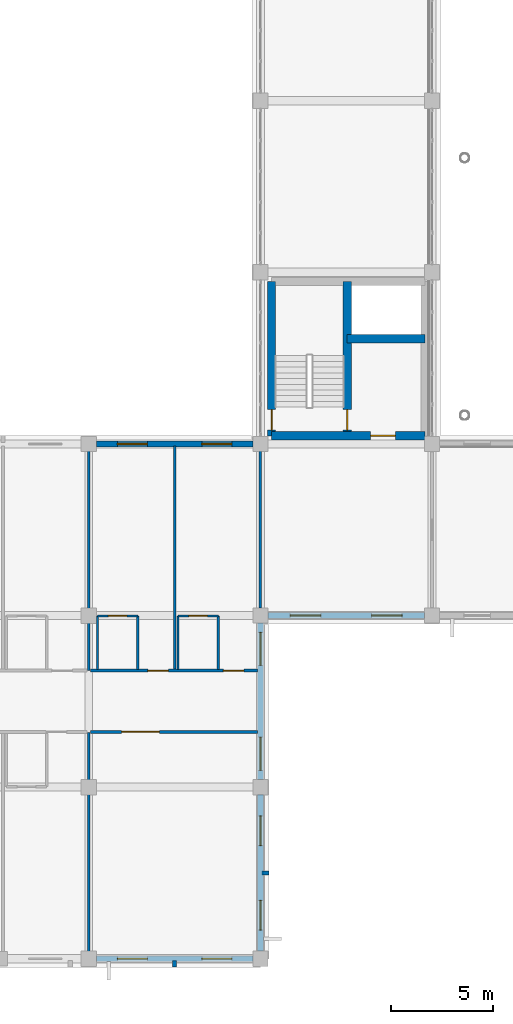
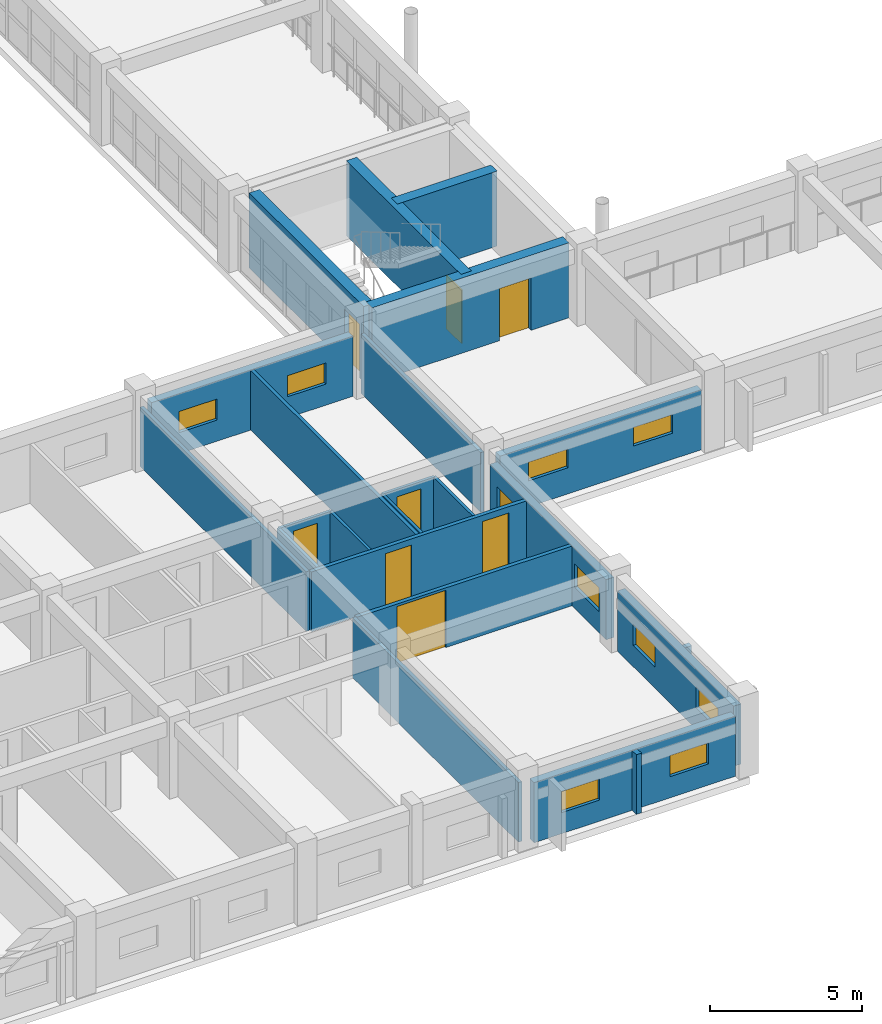
# One storey, part 181 of 200: 23 walls, 10 windows, 8 doors, 18 openings.
"""IFC4 building model written with IfcOpenShell, lengths in metres."""

import ifcopenshell
import ifcopenshell.guid

model = None  # the IFC model being written
_history = None  # IfcOwnerHistory: only IFC2X3 demands one
_inside = {}  # id of a spatial element -> (the spatial element, [elements in it])
_under = {}  # id of a project, library or spatial element -> (it, [spatial elements below it])
_declared = {}  # id of a project -> (the project, [libraries it declares])
_typed = {}  # id of a type object -> (the type object, [elements of that type])
_made_of = {}  # id of a material, layer set ... -> (it, [elements and type objects made of it])


def new_model(schema):
    """Start an empty IFC model of exactly this schema.

    Asked for "IFC4X3", IfcOpenShell would pick the latest addendum, in which some entities
    have other attributes; the version numbers below select the first issue.
    IFC2X3 requires an IfcOwnerHistory on every rooted entity: one is made here for all.
    """
    global model, _history
    if schema == "IFC4X3":
        model = ifcopenshell.file(schema_version=(4, 3, 0, 0))
    else:
        model = ifcopenshell.file(schema=schema)
    _inside.clear()
    _under.clear()
    _declared.clear()
    _typed.clear()
    _made_of.clear()
    _history = None
    if model.schema == "IFC2X3":
        org = make("IfcOrganization", Name="unknown")
        user = make(
            "IfcPersonAndOrganization",
            ThePerson=make("IfcPerson", FamilyName="unknown"),
            TheOrganization=org,
        )
        app = make(
            "IfcApplication",
            ApplicationDeveloper=org,
            Version="unknown",
            ApplicationFullName="unknown",
            ApplicationIdentifier="unknown",
        )
        _history = make(
            "IfcOwnerHistory",
            OwningUser=user,
            OwningApplication=app,
            ChangeAction="ADDED",
            CreationDate=0,
        )
    return model


def make(cls, **values):
    """One entity of the class cls with the attributes given. An attribute that is None is left unset."""
    return model.create_entity(
        cls, **{name: value for name, value in values.items() if value is not None}
    )


def rooted(cls, **values):
    """An entity with a GlobalId (a new one), such as an element, a storey or a relation."""
    return make(cls, GlobalId=ifcopenshell.guid.new(), OwnerHistory=_history, **values)


def si_unit(unit_type, name, prefix=None):
    """IfcSIUnit, for example si_unit("LENGTHUNIT", "METRE", prefix="MILLI")."""
    return make("IfcSIUnit", UnitType=unit_type, Prefix=prefix, Name=name)


def assignment(units):
    """IfcUnitAssignment: the units of a project."""
    return None if units is None else make("IfcUnitAssignment", Units=units)


def point(xyz):
    """IfcCartesianPoint."""
    return None if xyz is None else make("IfcCartesianPoint", Coordinates=xyz)


def direction(xyz):
    """IfcDirection."""
    return None if xyz is None else make("IfcDirection", DirectionRatios=xyz)


def frame(location, z_axis=None, x_axis=None):
    """IfcAxis2Placement3D, a coordinate frame: its origin and axes. An axis left out is left unset."""
    return make(
        "IfcAxis2Placement3D",
        Location=point(location),
        Axis=direction(z_axis),
        RefDirection=direction(x_axis),
    )


def frame_2d(location, x_axis=None):
    """IfcAxis2Placement2D, a coordinate frame in the plane: its origin and x axis."""
    return make(
        "IfcAxis2Placement2D", Location=point(location), RefDirection=direction(x_axis)
    )


def origin():
    """The frame at (0, 0, 0) with its axes left unset."""
    return frame((0.0, 0.0, 0.0))


def place(relative_to, where):
    """IfcLocalPlacement: puts the frame where relative to a parent placement (None: the world)."""
    return make(
        "IfcLocalPlacement", PlacementRelTo=relative_to, RelativePlacement=where
    )


def context(
    kind, dimensions, precision=None, world=None, true_north=None, identifier=None
):
    """IfcGeometricRepresentationContext, for example the 3D "Model" context."""
    return make(
        "IfcGeometricRepresentationContext",
        ContextIdentifier=identifier,
        ContextType=kind,
        CoordinateSpaceDimension=dimensions,
        Precision=precision,
        WorldCoordinateSystem=world,
        TrueNorth=true_north,
    )


def subcontext(parent, identifier, kind, view, scale=None):
    """IfcGeometricRepresentationSubContext, for example "Body" below "Model"."""
    return make(
        "IfcGeometricRepresentationSubContext",
        ContextIdentifier=identifier,
        ContextType=kind,
        ParentContext=parent,
        TargetScale=scale,
        TargetView=view,
    )


def project(units=None, contexts=None):
    """IfcProject with its units and contexts."""
    return rooted(
        "IfcProject",
        Name="project",
        RepresentationContexts=contexts,
        UnitsInContext=assignment(units),
    )


def spatial(cls, under=None, at=None, **own):
    """A site, building, storey or space (cls), placed at a placement, below another one or the project."""
    s = rooted(cls, ObjectPlacement=at, **own)
    if under is not None:
        _under.setdefault(under.id(), (under, []))[1].append(s)
    return s


def profile(cls, at=None, kind="AREA", **sizes):
    """A parametric profile (cls). Its sizes go by their IFC names, for example OverallWidth=200.0."""
    return make(cls, ProfileType=kind, Position=at, **sizes)


def rectangle(**sizes):
    """IfcRectangleProfileDef."""
    return profile("IfcRectangleProfileDef", **sizes)


def extrude(swept, where, along, depth):
    """IfcExtrudedAreaSolid: the profile swept, set in the frame where, extruded along a direction by depth."""
    return make(
        "IfcExtrudedAreaSolid",
        SweptArea=swept,
        Position=where,
        ExtrudedDirection=direction(along),
        Depth=depth,
    )


def shape(context_of_items, identifier, shape_type, items):
    """IfcShapeRepresentation: the items that make up one representation, for example the "Body"."""
    return make(
        "IfcShapeRepresentation",
        ContextOfItems=context_of_items,
        RepresentationIdentifier=identifier,
        RepresentationType=shape_type,
        Items=items,
    )


def material(Name=None, Category=None):
    """IfcMaterial."""
    return make("IfcMaterial", Name=Name, Category=Category)


def layer(
    of_material, thickness, ventilated=None, Name=None, Category=None, Priority=None
):
    """IfcMaterialLayer: one layer of a wall or slab, of a material (None: an air gap)."""
    return make(
        "IfcMaterialLayer",
        Material=of_material,
        LayerThickness=thickness,
        IsVentilated=ventilated,
        Name=Name,
        Category=Category,
        Priority=Priority,
    )


def layer_set(layers, Name=None):
    """IfcMaterialLayerSet."""
    return make("IfcMaterialLayerSet", MaterialLayers=layers, LayerSetName=Name)


def made_of(thing, what):
    """Note that an element or type object is made of a material, layer set ...; save() writes the relation."""
    if what is not None:
        _made_of.setdefault(what.id(), (what, []))[1].append(thing)
    return thing


def type_object(cls, material=None, **own):
    """A type object (cls), such as IfcWallType, which elements share."""
    return made_of(rooted(cls, **own), material)


def element(
    cls,
    number,
    at=None,
    inside=None,
    cuts=None,
    type_object=None,
    material=None,
    context=None,
    identifier="Body",
    shape_type=None,
    held_by="IfcProductDefinitionShape",
    body=None,
    shapes=None,
    **own,
):
    """One element of the class cls, such as IfcWall. Its Tag is "e" and its number.

    at: its placement. inside: the storey or other place that contains it. cuts: it is an
    opening in that element (IfcRelVoidsElement). A single representation is given by context,
    identifier, shape_type and body (its items); several are given by shapes. held_by: the class
    of the entity that holds the representations. save() writes the other relations.
    """
    e = rooted(cls, Tag="e%d" % number, ObjectPlacement=at, **own)
    if body is not None:
        shapes = [shape(context, identifier, shape_type, body)]
    if shapes is not None:
        e.Representation = make(held_by, Representations=shapes)
    if inside is not None:
        _inside.setdefault(inside.id(), (inside, []))[1].append(e)
    if cuts is not None:
        rooted(
            "IfcRelVoidsElement", RelatingBuildingElement=cuts, RelatedOpeningElement=e
        )
    if type_object is not None:
        _typed.setdefault(type_object.id(), (type_object, []))[1].append(e)
    return made_of(e, material)


def fill(opening, filler):
    """IfcRelFillsElement: the door or window that sits in an opening."""
    return rooted(
        "IfcRelFillsElement",
        RelatingOpeningElement=opening,
        RelatedBuildingElement=filler,
    )


def aggregate(whole, parts):
    """IfcRelAggregates: a whole, such as a stair, and the parts it consists of."""
    return rooted("IfcRelAggregates", RelatingObject=whole, RelatedObjects=parts)


def save(model, path):
    """Write the relations noted so far, then the file.

    IfcRelAggregates (storeys below a building ...), IfcRelContainedInSpatialStructure (elements
    in a storey), IfcRelDefinesByType, IfcRelAssociatesMaterial and IfcRelDeclares: one each for
    every whole, place, type object, material and project.
    """
    for whole, parts in _under.values():
        aggregate(whole, parts)
    for where, things in _inside.values():
        rooted(
            "IfcRelContainedInSpatialStructure",
            RelatedElements=things,
            RelatingStructure=where,
        )
    for kind, things in _typed.values():
        rooted("IfcRelDefinesByType", RelatedObjects=things, RelatingType=kind)
    for what, things in _made_of.values():
        rooted("IfcRelAssociatesMaterial", RelatedObjects=things, RelatingMaterial=what)
    for by, libraries in _declared.values():
        rooted("IfcRelDeclares", RelatingContext=by, RelatedDefinitions=libraries)
    model.write(path)


model = new_model("IFC4")

# Units and contexts
model_context = context("Model", 3, precision=1e-05, world=origin(), true_north=direction((0.0, 1.0)))
body_context = subcontext(model_context, "Body", "Model", "MODEL_VIEW")
ifc_project = project(units=[si_unit("LENGTHUNIT", "METRE"), si_unit("AREAUNIT", "SQUARE_METRE"), si_unit("VOLUMEUNIT", "CUBIC_METRE"), si_unit("PLANEANGLEUNIT", "RADIAN"), si_unit("MASSUNIT", "GRAM", prefix="KILO")], contexts=[model_context])

# Site, building, storey
site_placement = place(None, origin())
site = spatial("IfcSite", under=ifc_project, at=site_placement, CompositionType="ELEMENT")
building_placement = place(site_placement, origin())
building = spatial("IfcBuilding", under=site, at=building_placement, Name="Trelvath General Hospital", CompositionType="ELEMENT")
storey_placement = place(building_placement, frame((0.0, 0.0, 4.800048828125)))
storey = spatial("IfcBuildingStorey", under=building, at=storey_placement, Name="L01", CompositionType="ELEMENT", Elevation=4.800048828125)

# Walls
ifc_material_1 = material(Name="Precast concrete C40/50", Category="concrete")
ifc_layer_1 = layer(ifc_material_1, 0.199951171875)
ifc_layer_set_1 = layer_set([ifc_layer_1], Name="Precast concrete C40/50")
wall_type_1 = type_object("IfcWallType", Name="BriseSoleilRib 200", PredefinedType="ELEMENTEDWALL", material=ifc_layer_set_1)
wall_1_placement = place(storey_placement, frame((130.199951171875, -0.074951171875, 0.0), z_axis=(0.0, 0.0, 1.0), x_axis=(0.0, -1.0, 0.0)))
element("IfcWall", 1, at=wall_1_placement, inside=storey, type_object=wall_type_1, Name="Precast Concrete Brise-Soleil Rib Fin L01-127", PredefinedType="ELEMENTEDWALL", context=body_context, shape_type="SweptSolid", body=[
    extrude(rectangle(XDim=0.340087890625, YDim=0.199951171875, at=frame_2d((0.169921875, 0.0))), origin(), (0.0, 0.0, 1.0), 2.39990234375),
])
wall_2_placement = place(storey_placement, frame((134.47509765625, 4.199951171875, 0.0), z_axis=(0.0, 0.0, 1.0), x_axis=(1.0, 0.0, 0.0)))
element("IfcWall", 2, at=wall_2_placement, inside=storey, type_object=wall_type_1, Name="Precast Concrete Brise-Soleil Rib Fin L01-128", PredefinedType="ELEMENTEDWALL", context=body_context, shape_type="SweptSolid", body=[
    extrude(rectangle(XDim=0.33984375, YDim=0.199951171875, at=frame_2d((0.169921875, 0.0))), origin(), (0.0, 0.0, 1.0), 2.39990234375),
])

# Wall, opening, door
ifc_material_2 = material(Name="Gypsum acoustic steel-stud partition", Category="steel")
ifc_layer_2 = layer(ifc_material_2, 0.14990234375)
ifc_layer_set_2 = layer_set([ifc_layer_2], Name="Gypsum acoustic steel-stud partition")
wall_type_2 = type_object("IfcWallType", Name="ClinicalPartition 150", PredefinedType="PARTITIONING", material=ifc_layer_set_2)
wall_3_placement = place(storey_placement, frame((126.080078125, 11.10009765625, 0.0), z_axis=(0.0, 0.0, 1.0), x_axis=(1.0, 0.0, 0.0)))
wall_3 = element("IfcWall", 3, at=wall_3_placement, inside=storey, type_object=wall_type_2, Name="Corridor Partition L01-499", PredefinedType="PARTITIONING", context=body_context, shape_type="SweptSolid", body=[
    extrude(rectangle(XDim=8.179931640625, YDim=0.14990234375, at=frame_2d((4.08984375, 0.0))), origin(), (0.0, 0.0, 1.0), 2.39990234375),
])
opening_1_placement = place(wall_3_placement, frame((1.530029296875, 0.0, 0.0)))
opening_1 = element("IfcOpeningElement", 4, at=opening_1_placement, cuts=wall_3, Name="Opening D-1-0532", PredefinedType="OPENING", context=body_context, shape_type="SweptSolid", body=[
    extrude(rectangle(XDim=1.85009765625, YDim=2.300048828125, at=frame_2d((0.925048828125, 1.14990234375))), frame((0.0, 0.0849609375, 0.0), z_axis=(0.0, -1.0, 0.0), x_axis=(1.0, 0.0, 0.0)), (0.0, 0.0, 1.0), 0.169921875),
])
ifc_material_3 = material(Name="Fire-rated steel cross-corridor pair", Category="steel")
door_type_1 = type_object("IfcDoorType", Name="Door SmokeCross 1850x2300", OperationType="DOUBLE_SWING_LEFT", PredefinedType="DOOR", material=ifc_material_3)
door_1_placement = place(opening_1_placement, origin())
door_1 = element("IfcDoor", 5, at=door_1_placement, inside=storey, type_object=door_type_1, Name="Waiting Lounge Door L01-532", OperationType="DOUBLE_SWING_LEFT", OverallHeight=2.300048828125, OverallWidth=1.85009765625, PredefinedType="DOOR", context=body_context, shape_type="SweptSolid", body=[
    extrude(rectangle(XDim=1.85009765625, YDim=2.300048828125, at=frame_2d((0.925048828125, 1.14990234375))), frame((0.0, 0.02490234375, 0.0), z_axis=(0.0, -1.0, 0.0), x_axis=(1.0, 0.0, 0.0)), (0.0, 0.0, 1.0), 0.050048828125),
])
fill(opening_1, door_1)

# Wall, openings, doors
wall_4_placement = place(storey_placement, frame((134.260009765625, 14.10009765625, 0.0), z_axis=(0.0, 0.0, 1.0), x_axis=(-1.0, 0.0, 0.0)))
wall_4 = element("IfcWall", 6, at=wall_4_placement, inside=storey, type_object=wall_type_2, Name="Corridor Partition N L01-500", PredefinedType="PARTITIONING", context=body_context, shape_type="SweptSolid", body=[
    extrude(rectangle(XDim=8.179931640625, YDim=0.14990234375, at=frame_2d((4.08984375, 0.0))), origin(), (0.0, 0.0, 1.0), 2.39990234375),
])
opening_2_placement = place(wall_4_placement, frame((0.669921875, 0.0, 0.0)))
opening_2 = element("IfcOpeningElement", 7, at=opening_2_placement, cuts=wall_4, Name="Opening D-1-0533", PredefinedType="OPENING", context=body_context, shape_type="SweptSolid", body=[
    extrude(rectangle(XDim=1.0, YDim=2.14990234375, at=frame_2d((0.5, 1.074951171875))), frame((0.0, 0.0849609375, 0.0), z_axis=(0.0, -1.0, 0.0), x_axis=(1.0, 0.0, 0.0)), (0.0, 0.0, 1.0), 0.169921875),
])
opening_3_placement = place(wall_4_placement, frame((4.3701171875, 0.0, 0.0)))
opening_3 = element("IfcOpeningElement", 8, at=opening_3_placement, cuts=wall_4, Name="Opening D-1-0534", PredefinedType="OPENING", context=body_context, shape_type="SweptSolid", body=[
    extrude(rectangle(XDim=1.0, YDim=2.14990234375, at=frame_2d((0.5, 1.074951171875))), frame((0.0, 0.0849609375, 0.0), z_axis=(0.0, -1.0, 0.0), x_axis=(1.0, 0.0, 0.0)), (0.0, 0.0, 1.0), 0.169921875),
])
ifc_material_4 = material(Name="Acoustic hospital timber leaf", Category="wood")
door_type_2 = type_object("IfcDoorType", Name="Door Consult 1000x2150", OperationType="NOTDEFINED", PredefinedType="DOOR", material=ifc_material_4)
door_2_placement = place(opening_2_placement, origin())
door_2 = element("IfcDoor", 9, at=door_2_placement, inside=storey, type_object=door_type_2, Name="Patient Room Door N L01-533", OperationType="SINGLE_SWING_LEFT", OverallHeight=2.14990234375, OverallWidth=1.0, PredefinedType="DOOR", context=body_context, shape_type="SweptSolid", body=[
    extrude(rectangle(XDim=1.0, YDim=2.14990234375, at=frame_2d((0.5, 1.074951171875))), frame((0.0, 0.02490234375, 0.0), z_axis=(0.0, -1.0, 0.0), x_axis=(1.0, 0.0, 0.0)), (0.0, 0.0, 1.0), 0.050048828125),
])
fill(opening_2, door_2)
door_3_placement = place(opening_3_placement, origin())
door_3 = element("IfcDoor", 10, at=door_3_placement, inside=storey, type_object=door_type_2, Name="Patient Room Door N L01-534", OperationType="SINGLE_SWING_LEFT", OverallHeight=2.14990234375, OverallWidth=1.0, PredefinedType="DOOR", context=body_context, shape_type="SweptSolid", body=[
    extrude(rectangle(XDim=1.0, YDim=2.14990234375, at=frame_2d((0.5, 1.074951171875))), frame((0.0, 0.02490234375, 0.0), z_axis=(0.0, -1.0, 0.0), x_axis=(1.0, 0.0, 0.0)), (0.0, 0.0, 1.0), 0.050048828125),
])
fill(opening_3, door_3)

# Wall, opening, door
ifc_material_5 = material(Name="Concrete C40/50", Category="concrete")
ifc_layer_3 = layer(ifc_material_5, 0.39990234375)
ifc_layer_set_3 = layer_set([ifc_layer_3], Name="Concrete C40/50")
wall_type_3 = type_object("IfcWallType", Name="CoreShearWall 400", PredefinedType="SHEAR", material=ifc_layer_set_3)
wall_5_placement = place(storey_placement, frame((134.949951171875, 25.60009765625, 0.0), z_axis=(0.0, 0.0, 1.0), x_axis=(1.0, 0.0, 0.0)))
wall_5 = element("IfcWall", 11, at=wall_5_placement, inside=storey, type_object=wall_type_3, Name="Core Shear Wall C7 S L01", PredefinedType="SHEAR", context=body_context, shape_type="SweptSolid", body=[
    extrude(rectangle(XDim=7.5, YDim=0.39990234375, at=frame_2d((3.75, 0.0))), origin(), (0.0, 0.0, 1.0), 3.02001953125),
])
opening_4_placement = place(wall_5_placement, frame((4.85009765625, 0.0, 0.0)))
opening_4 = element("IfcOpeningElement", 12, at=opening_4_placement, cuts=wall_5, Name="Opening FD-LS71", PredefinedType="OPENING", context=body_context, shape_type="SweptSolid", body=[
    extrude(rectangle(XDim=1.199951171875, YDim=2.10009765625, at=frame_2d((0.60009765625, 1.050048828125))), frame((0.0, 0.2099609375, 0.0), z_axis=(0.0, -1.0, 0.0), x_axis=(1.0, 0.0, 0.0)), (0.0, 0.0, 1.0), 0.419921875),
])
ifc_material_6 = material(Name="Fire-rated steel door", Category="steel")
door_type_3 = type_object("IfcDoorType", Name="Door FireLobby 1200x2100", OperationType="NOTDEFINED", PredefinedType="DOOR", material=ifc_material_6)
door_4_placement = place(opening_4_placement, origin())
door_4 = element("IfcDoor", 13, at=door_4_placement, inside=storey, type_object=door_type_3, Name="Fire Lobby South Concourse Door C7 L01", OperationType="SINGLE_SWING_RIGHT", OverallHeight=2.10009765625, OverallWidth=1.199951171875, PredefinedType="DOOR", context=body_context, shape_type="SweptSolid", body=[
    extrude(rectangle(XDim=1.199951171875, YDim=2.10009765625, at=frame_2d((0.60009765625, 1.050048828125))), frame((0.0, 0.02490234375, 0.0), z_axis=(0.0, -1.0, 0.0), x_axis=(1.0, 0.0, 0.0)), (0.0, 0.0, 1.0), 0.050048828125),
])
fill(opening_4, door_4)

wall_6_placement = place(storey_placement, frame((134.949951171875, 25.60009765625, 0.0), z_axis=(0.0, 0.0, 1.0), x_axis=(0.0, 1.0, 0.0)))
wall_6 = element("IfcWall", 14, at=wall_6_placement, inside=storey, type_object=wall_type_3, Name="Core Shear Wall C7 W L01", PredefinedType="SHEAR", context=body_context, shape_type="SweptSolid", body=[
    extrude(rectangle(XDim=7.5498046875, YDim=0.39990234375, at=frame_2d((3.77490234375, 0.0))), origin(), (0.0, 0.0, 1.0), 3.02001953125),
])
opening_5_placement = place(wall_6_placement, frame((0.280029296875, 0.0, 0.0)))
opening_5 = element("IfcOpeningElement", 15, at=opening_5_placement, cuts=wall_6, Name="Opening FD-SW71", PredefinedType="OPENING", context=body_context, shape_type="SweptSolid", body=[
    extrude(rectangle(XDim=1.0, YDim=2.14990234375, at=frame_2d((0.5, 1.074951171875))), frame((0.0, 0.2099609375, 0.0), z_axis=(0.0, -1.0, 0.0), x_axis=(1.0, 0.0, 0.0)), (0.0, 0.0, 1.0), 0.419921875),
])
ifc_material_7 = material(Name="Fire-rated steel door", Category="steel")
door_type_4 = type_object("IfcDoorType", Name="Door FireStair 1100x2150", OperationType="NOTDEFINED", PredefinedType="DOOR", material=ifc_material_7)
door_5_placement = place(opening_5_placement, origin())
door_5 = element("IfcDoor", 16, at=door_5_placement, inside=storey, type_object=door_type_4, Name="East Concourse Stair Door ST7 L01", OperationType="SINGLE_SWING_LEFT", OverallHeight=2.14990234375, OverallWidth=1.0, PredefinedType="DOOR", context=body_context, shape_type="SweptSolid", body=[
    extrude(rectangle(XDim=1.0, YDim=2.14990234375, at=frame_2d((0.5, 1.074951171875))), frame((0.0, 0.02490234375, 0.0), z_axis=(0.0, -1.0, 0.0), x_axis=(1.0, 0.0, 0.0)), (0.0, 0.0, 1.0), 0.050048828125),
])
fill(opening_5, door_5)

wall_7_placement = place(storey_placement, frame((138.64990234375, 25.60009765625, 0.0), z_axis=(0.0, 0.0, 1.0), x_axis=(0.0, 1.0, 0.0)))
wall_7 = element("IfcWall", 17, at=wall_7_placement, inside=storey, type_object=wall_type_3, Name="Core Shear Wall C7 SPINE L01", PredefinedType="SHEAR", context=body_context, shape_type="SweptSolid", body=[
    extrude(rectangle(XDim=7.5498046875, YDim=0.39990234375, at=frame_2d((3.77490234375, 0.0))), origin(), (0.0, 0.0, 1.0), 3.02001953125),
])
opening_6_placement = place(wall_7_placement, frame((0.280029296875, 0.0, 0.0)))
opening_6 = element("IfcOpeningElement", 18, at=opening_6_placement, cuts=wall_7, Name="Opening FD-S71", PredefinedType="OPENING", context=body_context, shape_type="SweptSolid", body=[
    extrude(rectangle(XDim=1.0, YDim=2.14990234375, at=frame_2d((0.5, 1.074951171875))), frame((0.0, 0.2099609375, 0.0), z_axis=(0.0, -1.0, 0.0), x_axis=(1.0, 0.0, 0.0)), (0.0, 0.0, 1.0), 0.419921875),
])
door_6_placement = place(opening_6_placement, origin())
door_6 = element("IfcDoor", 19, at=door_6_placement, inside=storey, type_object=door_type_4, Name="Exit Stair Door ST7 L01", OperationType="SINGLE_SWING_RIGHT", OverallHeight=2.14990234375, OverallWidth=1.0, PredefinedType="DOOR", context=body_context, shape_type="SweptSolid", body=[
    extrude(rectangle(XDim=1.0, YDim=2.14990234375, at=frame_2d((0.5, 1.074951171875))), frame((0.0, 0.02490234375, 0.0), z_axis=(0.0, -1.0, 0.0), x_axis=(1.0, 0.0, 0.0)), (0.0, 0.0, 1.0), 0.050048828125),
])
fill(opening_6, door_6)

# Walls
wall_8_placement = place(storey_placement, frame((138.64990234375, 30.35009765625, 0.0), z_axis=(0.0, 0.0, 1.0), x_axis=(1.0, 0.0, 0.0)))
element("IfcWall", 20, at=wall_8_placement, inside=storey, type_object=wall_type_3, Name="Core Shear Wall C7 SHAFT L01", PredefinedType="SHEAR", context=body_context, shape_type="SweptSolid", body=[
    extrude(rectangle(XDim=3.800048828125, YDim=0.39990234375, at=frame_2d((1.89990234375, 0.0))), origin(), (0.0, 0.0, 1.0), 3.02001953125),
])
ifc_material_8 = material(Name="Moisture-resistant tile partition")
ifc_layer_4 = layer(ifc_material_8, 0.110107421875)
ifc_layer_set_4 = layer_set([ifc_layer_4], Name="Moisture-resistant tile partition")
wall_type_4 = type_object("IfcWallType", Name="EnSuiteWetWall 110", PredefinedType="PARTITIONING", material=ifc_layer_set_4)
for number, where, z_axis, x_axis, name in (
    (21, (126.419921875, 14.169921875, 0.0), (0.0, 0.0, 1.0), (0.0, 1.0, 0.0), "En-Suite W Wall N L01-502"),
    (22, (128.39990234375, 14.169921875, 0.0), (0.0, 0.0, 1.0), (0.0, 1.0, 0.0), "En-Suite E Wall N L01-503"),
):
    element("IfcWall", number, at=place(storey_placement, frame(where, z_axis=z_axis, x_axis=x_axis)), inside=storey, type_object=wall_type_4, Name=name, PredefinedType="PARTITIONING", context=body_context, shape_type="SweptSolid", body=[
        extrude(rectangle(XDim=2.610107421875, YDim=0.110107421875, at=frame_2d((1.30517578125, 0.0))), origin(), (0.0, 0.0, 1.0), 2.39990234375),
    ])

# Wall, opening, door
wall_9_placement = place(storey_placement, frame((126.419921875, 16.780029296875, 0.0), z_axis=(0.0, 0.0, 1.0), x_axis=(1.0, 0.0, 0.0)))
wall_9 = element("IfcWall", 23, at=wall_9_placement, inside=storey, type_object=wall_type_4, Name="En-Suite Bathroom N Partition L01-504", PredefinedType="PARTITIONING", context=body_context, shape_type="SweptSolid", body=[
    extrude(rectangle(XDim=1.97998046875, YDim=0.110107421875, at=frame_2d((0.989990234375, 0.0))), origin(), (0.0, 0.0, 1.0), 2.39990234375),
])
opening_7_placement = place(wall_9_placement, frame((0.5400390625, 0.0, 0.0)))
opening_7 = element("IfcOpeningElement", 24, at=opening_7_placement, cuts=wall_9, Name="Opening D-1-0535", PredefinedType="OPENING", context=body_context, shape_type="SweptSolid", body=[
    extrude(rectangle(XDim=0.89990234375, YDim=2.10009765625, at=frame_2d((0.449951171875, 1.050048828125))), frame((0.0, 0.06494140625, 0.0), z_axis=(0.0, -1.0, 0.0), x_axis=(1.0, 0.0, 0.0)), (0.0, 0.0, 1.0), 0.130126953125),
])
ifc_material_9 = material(Name="Moisture-sealed timber leaf", Category="wood")
door_type_5 = type_object("IfcDoorType", Name="Door EnSuite 900x2100", OperationType="NOTDEFINED", PredefinedType="DOOR", material=ifc_material_9)
door_7_placement = place(opening_7_placement, origin())
door_7 = element("IfcDoor", 25, at=door_7_placement, inside=storey, type_object=door_type_5, Name="En-Suite Bathroom N Door L01-535", OperationType="SINGLE_SWING_RIGHT", OverallHeight=2.10009765625, OverallWidth=0.89990234375, PredefinedType="DOOR", context=body_context, shape_type="SweptSolid", body=[
    extrude(rectangle(XDim=0.89990234375, YDim=2.10009765625, at=frame_2d((0.449951171875, 1.050048828125))), frame((0.0, 0.02490234375, 0.0), z_axis=(0.0, -1.0, 0.0), x_axis=(1.0, 0.0, 0.0)), (0.0, 0.0, 1.0), 0.050048828125),
])
fill(opening_7, door_7)

# Walls
for number, where, z_axis, x_axis, name in (
    (26, (130.360107421875, 14.169921875, 0.0), (0.0, 0.0, 1.0), (0.0, 1.0, 0.0), "En-Suite W Wall N L01-505"),
    (27, (132.340087890625, 14.169921875, 0.0), (0.0, 0.0, 1.0), (0.0, 1.0, 0.0), "En-Suite E Wall N L01-506"),
):
    element("IfcWall", number, at=place(storey_placement, frame(where, z_axis=z_axis, x_axis=x_axis)), inside=storey, type_object=wall_type_4, Name=name, PredefinedType="PARTITIONING", context=body_context, shape_type="SweptSolid", body=[
        extrude(rectangle(XDim=2.610107421875, YDim=0.110107421875, at=frame_2d((1.30517578125, 0.0))), origin(), (0.0, 0.0, 1.0), 2.39990234375),
    ])

# Wall, opening, door
wall_10_placement = place(storey_placement, frame((130.360107421875, 16.780029296875, 0.0), z_axis=(0.0, 0.0, 1.0), x_axis=(1.0, 0.0, 0.0)))
wall_10 = element("IfcWall", 28, at=wall_10_placement, inside=storey, type_object=wall_type_4, Name="En-Suite Bathroom N Partition L01-507", PredefinedType="PARTITIONING", context=body_context, shape_type="SweptSolid", body=[
    extrude(rectangle(XDim=1.97998046875, YDim=0.110107421875, at=frame_2d((0.989990234375, 0.0))), origin(), (0.0, 0.0, 1.0), 2.39990234375),
])
opening_8_placement = place(wall_10_placement, frame((0.5400390625, 0.0, 0.0)))
opening_8 = element("IfcOpeningElement", 29, at=opening_8_placement, cuts=wall_10, Name="Opening D-1-0536", PredefinedType="OPENING", context=body_context, shape_type="SweptSolid", body=[
    extrude(rectangle(XDim=0.89990234375, YDim=2.10009765625, at=frame_2d((0.449951171875, 1.050048828125))), frame((0.0, 0.06494140625, 0.0), z_axis=(0.0, -1.0, 0.0), x_axis=(1.0, 0.0, 0.0)), (0.0, 0.0, 1.0), 0.130126953125),
])
door_8_placement = place(opening_8_placement, origin())
door_8 = element("IfcDoor", 30, at=door_8_placement, inside=storey, type_object=door_type_5, Name="En-Suite Bathroom N Door L01-536", OperationType="SINGLE_SWING_LEFT", OverallHeight=2.10009765625, OverallWidth=0.89990234375, PredefinedType="DOOR", context=body_context, shape_type="SweptSolid", body=[
    extrude(rectangle(XDim=0.89990234375, YDim=2.10009765625, at=frame_2d((0.449951171875, 1.050048828125))), frame((0.0, 0.02490234375, 0.0), z_axis=(0.0, -1.0, 0.0), x_axis=(1.0, 0.0, 0.0)), (0.0, 0.0, 1.0), 0.050048828125),
])
fill(opening_8, door_8)

# Wall, openings, windows
ifc_material_10 = material(Name="Concrete C35/45", Category="concrete")
ifc_layer_5 = layer(ifc_material_10, 0.2900390625)
ifc_layer_set_5 = layer_set([ifc_layer_5], Name="Concrete C35/45")
wall_type_5 = type_object("IfcWallType", Name="ExtBushHammeredWall 290", PredefinedType="SOLIDWALL", material=ifc_layer_set_5)
wall_11_placement = place(storey_placement, frame((134.030029296875, 0.0, 0.0), z_axis=(0.0, 0.0, 1.0), x_axis=(-1.0, 0.0, 0.0)))
wall_11 = element("IfcWall", 31, at=wall_11_placement, inside=storey, type_object=wall_type_5, Name="Exterior Concrete Wall L01-184", PredefinedType="SOLIDWALL", context=body_context, shape_type="SweptSolid", body=[
    extrude(rectangle(XDim=7.659912109375, YDim=0.2900390625, at=frame_2d((3.830078125, 0.0))), origin(), (0.0, 0.0, 1.0), 2.419921875),
])
opening_9_placement = place(wall_11_placement, frame((1.03173828125, 0.0, 0.85009765625)))
opening_9 = element("IfcOpeningElement", 32, at=opening_9_placement, cuts=wall_11, Name="Opening WN-1-269", PredefinedType="OPENING", context=body_context, shape_type="SweptSolid", body=[
    extrude(rectangle(XDim=1.4599609375, YDim=0.85009765625, at=frame_2d((0.72998046875, 0.425048828125))), frame((0.0, 0.155029296875, 0.0), z_axis=(0.0, -1.0, 0.0), x_axis=(1.0, 0.0, 0.0)), (0.0, 0.0, 1.0), 0.31005859375),
])
opening_10_placement = place(wall_11_placement, frame((5.168212890625, 0.0, 0.85009765625)))
opening_10 = element("IfcOpeningElement", 33, at=opening_10_placement, cuts=wall_11, Name="Opening WN-1-270", PredefinedType="OPENING", context=body_context, shape_type="SweptSolid", body=[
    extrude(rectangle(XDim=1.4599609375, YDim=0.85009765625, at=frame_2d((0.72998046875, 0.425048828125))), frame((0.0, 0.155029296875, 0.0), z_axis=(0.0, -1.0, 0.0), x_axis=(1.0, 0.0, 0.0)), (0.0, 0.0, 1.0), 0.31005859375),
])
ifc_material_11 = material(Name="Low-E laminated glass", Category="glass")
window_type_1 = type_object("IfcWindowType", Name="Window ImagingClere 1460x850", PartitioningType="DOUBLE_PANEL_VERTICAL", PredefinedType="WINDOW", material=ifc_material_11)
window_1_placement = place(opening_9_placement, origin())
window_1 = element("IfcWindow", 34, at=window_1_placement, inside=storey, type_object=window_type_1, Name="Solar Reveal Window L01-269", OverallHeight=0.85009765625, OverallWidth=1.4599609375, PartitioningType="SINGLE_PANEL", PredefinedType="WINDOW", context=body_context, shape_type="SweptSolid", body=[
    extrude(rectangle(XDim=1.4599609375, YDim=0.85009765625, at=frame_2d((0.72998046875, 0.425048828125))), frame((0.0, 0.030029296875, 0.0), z_axis=(0.0, -1.0, 0.0), x_axis=(1.0, 0.0, 0.0)), (0.0, 0.0, 1.0), 0.06005859375),
])
fill(opening_9, window_1)
window_2_placement = place(opening_10_placement, origin())
window_2 = element("IfcWindow", 35, at=window_2_placement, inside=storey, type_object=window_type_1, Name="Solar Reveal Window L01-270", OverallHeight=0.85009765625, OverallWidth=1.4599609375, PartitioningType="SINGLE_PANEL", PredefinedType="WINDOW", context=body_context, shape_type="SweptSolid", body=[
    extrude(rectangle(XDim=1.4599609375, YDim=0.85009765625, at=frame_2d((0.72998046875, 0.425048828125))), frame((0.0, 0.030029296875, 0.0), z_axis=(0.0, -1.0, 0.0), x_axis=(1.0, 0.0, 0.0)), (0.0, 0.0, 1.0), 0.06005859375),
])
fill(opening_10, window_2)

wall_12_placement = place(storey_placement, frame((134.39990234375, 8.030029296875, 0.0), z_axis=(0.0, 0.0, 1.0), x_axis=(0.0, -1.0, 0.0)))
wall_12 = element("IfcWall", 36, at=wall_12_placement, inside=storey, type_object=wall_type_5, Name="Exterior Concrete Wall L01-185", PredefinedType="SOLIDWALL", context=body_context, shape_type="SweptSolid", body=[
    extrude(rectangle(XDim=7.659912109375, YDim=0.2900390625, at=frame_2d((3.830078125, 0.0))), origin(), (0.0, 0.0, 1.0), 2.419921875),
])
opening_11_placement = place(wall_12_placement, frame((1.03173828125, 0.0, 0.85009765625)))
opening_11 = element("IfcOpeningElement", 37, at=opening_11_placement, cuts=wall_12, Name="Opening WN-1-271", PredefinedType="OPENING", context=body_context, shape_type="SweptSolid", body=[
    extrude(rectangle(XDim=1.4599609375, YDim=0.85009765625, at=frame_2d((0.72998046875, 0.425048828125))), frame((0.0, 0.155029296875, 0.0), z_axis=(0.0, -1.0, 0.0), x_axis=(1.0, 0.0, 0.0)), (0.0, 0.0, 1.0), 0.31005859375),
])
opening_12_placement = place(wall_12_placement, frame((5.168212890625, 0.0, 0.85009765625)))
opening_12 = element("IfcOpeningElement", 38, at=opening_12_placement, cuts=wall_12, Name="Opening WN-1-272", PredefinedType="OPENING", context=body_context, shape_type="SweptSolid", body=[
    extrude(rectangle(XDim=1.4599609375, YDim=0.85009765625, at=frame_2d((0.72998046875, 0.425048828125))), frame((0.0, 0.155029296875, 0.0), z_axis=(0.0, -1.0, 0.0), x_axis=(1.0, 0.0, 0.0)), (0.0, 0.0, 1.0), 0.31005859375),
])
window_3_placement = place(opening_11_placement, origin())
window_3 = element("IfcWindow", 39, at=window_3_placement, inside=storey, type_object=window_type_1, Name="Solar Reveal Window L01-271", OverallHeight=0.85009765625, OverallWidth=1.4599609375, PartitioningType="SINGLE_PANEL", PredefinedType="WINDOW", context=body_context, shape_type="SweptSolid", body=[
    extrude(rectangle(XDim=1.4599609375, YDim=0.85009765625, at=frame_2d((0.72998046875, 0.425048828125))), frame((0.0, 0.030029296875, 0.0), z_axis=(0.0, -1.0, 0.0), x_axis=(1.0, 0.0, 0.0)), (0.0, 0.0, 1.0), 0.06005859375),
])
fill(opening_11, window_3)
window_4_placement = place(opening_12_placement, origin())
window_4 = element("IfcWindow", 40, at=window_4_placement, inside=storey, type_object=window_type_1, Name="Solar Reveal Window L01-272", OverallHeight=0.85009765625, OverallWidth=1.4599609375, PartitioningType="SINGLE_PANEL", PredefinedType="WINDOW", context=body_context, shape_type="SweptSolid", body=[
    extrude(rectangle(XDim=1.4599609375, YDim=0.85009765625, at=frame_2d((0.72998046875, 0.425048828125))), frame((0.0, 0.030029296875, 0.0), z_axis=(0.0, -1.0, 0.0), x_axis=(1.0, 0.0, 0.0)), (0.0, 0.0, 1.0), 0.06005859375),
])
fill(opening_12, window_4)

wall_13_placement = place(storey_placement, frame((134.39990234375, 16.429931640625, 0.0), z_axis=(0.0, 0.0, 1.0), x_axis=(0.0, -1.0, 0.0)))
wall_13 = element("IfcWall", 41, at=wall_13_placement, inside=storey, type_object=wall_type_5, Name="Exterior Concrete Wall L01-186", PredefinedType="SOLIDWALL", context=body_context, shape_type="SweptSolid", body=[
    extrude(rectangle(XDim=7.659912109375, YDim=0.2900390625, at=frame_2d((3.830078125, 0.0))), origin(), (0.0, 0.0, 1.0), 2.419921875),
])
opening_13_placement = place(wall_13_placement, frame((0.455078125, 0.0, 0.85009765625)))
opening_13 = element("IfcOpeningElement", 42, at=opening_13_placement, cuts=wall_13, Name="Opening WN-1-273", PredefinedType="OPENING", context=body_context, shape_type="SweptSolid", body=[
    extrude(rectangle(XDim=1.6201171875, YDim=0.949951171875, at=frame_2d((0.81005859375, 0.47509765625))), frame((0.0, 0.155029296875, 0.0), z_axis=(0.0, -1.0, 0.0), x_axis=(1.0, 0.0, 0.0)), (0.0, 0.0, 1.0), 0.31005859375),
])
opening_14_placement = place(wall_13_placement, frame((5.5849609375, 0.0, 0.85009765625)))
opening_14 = element("IfcOpeningElement", 43, at=opening_14_placement, cuts=wall_13, Name="Opening WN-1-274", PredefinedType="OPENING", context=body_context, shape_type="SweptSolid", body=[
    extrude(rectangle(XDim=1.6201171875, YDim=0.949951171875, at=frame_2d((0.81005859375, 0.47509765625))), frame((0.0, 0.155029296875, 0.0), z_axis=(0.0, -1.0, 0.0), x_axis=(1.0, 0.0, 0.0)), (0.0, 0.0, 1.0), 0.31005859375),
])
ifc_material_12 = material(Name="Low-E laminated glass", Category="glass")
window_type_2 = type_object("IfcWindowType", Name="Window EmergencyClere 1620x950", PartitioningType="DOUBLE_PANEL_VERTICAL", PredefinedType="WINDOW", material=ifc_material_12)
window_5_placement = place(opening_13_placement, origin())
window_5 = element("IfcWindow", 44, at=window_5_placement, inside=storey, type_object=window_type_2, Name="Solar Reveal Window L01-273", OverallHeight=0.949951171875, OverallWidth=1.6201171875, PartitioningType="SINGLE_PANEL", PredefinedType="WINDOW", context=body_context, shape_type="SweptSolid", body=[
    extrude(rectangle(XDim=1.6201171875, YDim=0.949951171875, at=frame_2d((0.81005859375, 0.47509765625))), frame((0.0, 0.030029296875, 0.0), z_axis=(0.0, -1.0, 0.0), x_axis=(1.0, 0.0, 0.0)), (0.0, 0.0, 1.0), 0.06005859375),
])
fill(opening_13, window_5)
window_6_placement = place(opening_14_placement, origin())
window_6 = element("IfcWindow", 45, at=window_6_placement, inside=storey, type_object=window_type_2, Name="Solar Reveal Window L01-274", OverallHeight=0.949951171875, OverallWidth=1.6201171875, PartitioningType="SINGLE_PANEL", PredefinedType="WINDOW", context=body_context, shape_type="SweptSolid", body=[
    extrude(rectangle(XDim=1.6201171875, YDim=0.949951171875, at=frame_2d((0.81005859375, 0.47509765625))), frame((0.0, 0.030029296875, 0.0), z_axis=(0.0, -1.0, 0.0), x_axis=(1.0, 0.0, 0.0)), (0.0, 0.0, 1.0), 0.06005859375),
])
fill(opening_14, window_6)

wall_14_placement = place(storey_placement, frame((126.3701171875, 25.199951171875, 0.0), z_axis=(0.0, 0.0, 1.0), x_axis=(1.0, 0.0, 0.0)))
wall_14 = element("IfcWall", 46, at=wall_14_placement, inside=storey, type_object=wall_type_5, Name="Exterior Concrete Wall L01-187", PredefinedType="SOLIDWALL", context=body_context, shape_type="SweptSolid", body=[
    extrude(rectangle(XDim=7.659912109375, YDim=0.2900390625, at=frame_2d((3.830078125, 0.0))), origin(), (0.0, 0.0, 1.0), 2.419921875),
])
opening_15_placement = place(wall_14_placement, frame((1.03173828125, 0.0, 0.85009765625)))
opening_15 = element("IfcOpeningElement", 47, at=opening_15_placement, cuts=wall_14, Name="Opening WN-1-275", PredefinedType="OPENING", context=body_context, shape_type="SweptSolid", body=[
    extrude(rectangle(XDim=1.4599609375, YDim=0.85009765625, at=frame_2d((0.72998046875, 0.425048828125))), frame((0.0, 0.155029296875, 0.0), z_axis=(0.0, -1.0, 0.0), x_axis=(1.0, 0.0, 0.0)), (0.0, 0.0, 1.0), 0.31005859375),
])
opening_16_placement = place(wall_14_placement, frame((5.168212890625, 0.0, 0.85009765625)))
opening_16 = element("IfcOpeningElement", 48, at=opening_16_placement, cuts=wall_14, Name="Opening WN-1-276", PredefinedType="OPENING", context=body_context, shape_type="SweptSolid", body=[
    extrude(rectangle(XDim=1.4599609375, YDim=0.85009765625, at=frame_2d((0.72998046875, 0.425048828125))), frame((0.0, 0.155029296875, 0.0), z_axis=(0.0, -1.0, 0.0), x_axis=(1.0, 0.0, 0.0)), (0.0, 0.0, 1.0), 0.31005859375),
])
window_7_placement = place(opening_15_placement, origin())
window_7 = element("IfcWindow", 49, at=window_7_placement, inside=storey, type_object=window_type_1, Name="Solar Reveal Window L01-275", OverallHeight=0.85009765625, OverallWidth=1.4599609375, PartitioningType="SINGLE_PANEL", PredefinedType="WINDOW", context=body_context, shape_type="SweptSolid", body=[
    extrude(rectangle(XDim=1.4599609375, YDim=0.85009765625, at=frame_2d((0.72998046875, 0.425048828125))), frame((0.0, 0.030029296875, 0.0), z_axis=(0.0, -1.0, 0.0), x_axis=(1.0, 0.0, 0.0)), (0.0, 0.0, 1.0), 0.06005859375),
])
fill(opening_15, window_7)
window_8_placement = place(opening_16_placement, origin())
window_8 = element("IfcWindow", 50, at=window_8_placement, inside=storey, type_object=window_type_1, Name="Solar Reveal Window L01-276", OverallHeight=0.85009765625, OverallWidth=1.4599609375, PartitioningType="SINGLE_PANEL", PredefinedType="WINDOW", context=body_context, shape_type="SweptSolid", body=[
    extrude(rectangle(XDim=1.4599609375, YDim=0.85009765625, at=frame_2d((0.72998046875, 0.425048828125))), frame((0.0, 0.030029296875, 0.0), z_axis=(0.0, -1.0, 0.0), x_axis=(1.0, 0.0, 0.0)), (0.0, 0.0, 1.0), 0.06005859375),
])
fill(opening_16, window_8)

wall_15_placement = place(storey_placement, frame((142.429931640625, 16.800048828125, 0.0), z_axis=(0.0, 0.0, 1.0), x_axis=(-1.0, 0.0, 0.0)))
wall_15 = element("IfcWall", 51, at=wall_15_placement, inside=storey, type_object=wall_type_5, Name="Exterior Concrete Wall L01-190", PredefinedType="SOLIDWALL", context=body_context, shape_type="SweptSolid", body=[
    extrude(rectangle(XDim=7.659912109375, YDim=0.2900390625, at=frame_2d((3.830078125, 0.0))), origin(), (0.0, 0.0, 1.0), 2.419921875),
])
opening_17_placement = place(wall_15_placement, frame((1.08837890625, 0.0, 1.050048828125)))
opening_17 = element("IfcOpeningElement", 52, at=opening_17_placement, cuts=wall_15, Name="Opening WN-1-281", PredefinedType="OPENING", context=body_context, shape_type="SweptSolid", body=[
    extrude(rectangle(XDim=1.5, YDim=0.75, at=frame_2d((0.75, 0.375))), frame((0.0, 0.155029296875, 0.0), z_axis=(0.0, -1.0, 0.0), x_axis=(1.0, 0.0, 0.0)), (0.0, 0.0, 1.0), 0.31005859375),
])
opening_18_placement = place(wall_15_placement, frame((5.071533203125, 0.0, 1.050048828125)))
opening_18 = element("IfcOpeningElement", 53, at=opening_18_placement, cuts=wall_15, Name="Opening WN-1-282", PredefinedType="OPENING", context=body_context, shape_type="SweptSolid", body=[
    extrude(rectangle(XDim=1.5, YDim=0.75, at=frame_2d((0.75, 0.375))), frame((0.0, 0.155029296875, 0.0), z_axis=(0.0, -1.0, 0.0), x_axis=(1.0, 0.0, 0.0)), (0.0, 0.0, 1.0), 0.31005859375),
])
ifc_material_13 = material(Name="Low-E laminated glass", Category="glass")
window_type_3 = type_object("IfcWindowType", Name="Window InterstitialVent 1500x750", PartitioningType="DOUBLE_PANEL_HORIZONTAL", PredefinedType="WINDOW", material=ifc_material_13)
window_9_placement = place(opening_17_placement, origin())
window_9 = element("IfcWindow", 54, at=window_9_placement, inside=storey, type_object=window_type_3, Name="Solar Reveal Window L01-281", OverallHeight=0.75, OverallWidth=1.5, PartitioningType="SINGLE_PANEL", PredefinedType="WINDOW", context=body_context, shape_type="SweptSolid", body=[
    extrude(rectangle(XDim=1.5, YDim=0.75, at=frame_2d((0.75, 0.375))), frame((0.0, 0.030029296875, 0.0), z_axis=(0.0, -1.0, 0.0), x_axis=(1.0, 0.0, 0.0)), (0.0, 0.0, 1.0), 0.06005859375),
])
fill(opening_17, window_9)
window_10_placement = place(opening_18_placement, origin())
window_10 = element("IfcWindow", 55, at=window_10_placement, inside=storey, type_object=window_type_3, Name="Solar Reveal Window L01-282", OverallHeight=0.75, OverallWidth=1.5, PartitioningType="SINGLE_PANEL", PredefinedType="WINDOW", context=body_context, shape_type="SweptSolid", body=[
    extrude(rectangle(XDim=1.5, YDim=0.75, at=frame_2d((0.75, 0.375))), frame((0.0, 0.030029296875, 0.0), z_axis=(0.0, -1.0, 0.0), x_axis=(1.0, 0.0, 0.0)), (0.0, 0.0, 1.0), 0.06005859375),
])
fill(opening_18, window_10)

# Walls
ifc_material_14 = material(Name="Gypsum acoustic steel-stud partition", Category="steel")
ifc_layer_6 = layer(ifc_material_14, 0.1298828125)
ifc_layer_set_6 = layer_set([ifc_layer_6], Name="Gypsum acoustic steel-stud partition")
wall_type_6 = type_object("IfcWallType", Name="WardPartition 130", PredefinedType="PARTITIONING", material=ifc_layer_set_6)
wall_16_placement = place(storey_placement, frame((126.0, 0.139892578125, 0.0), z_axis=(0.0, 0.0, 1.0), x_axis=(0.0, 1.0, 0.0)))
element("IfcWall", 56, at=wall_16_placement, inside=storey, type_object=wall_type_6, Name="Inter-Bay Ward Partition S L01-496", PredefinedType="PARTITIONING", context=body_context, shape_type="SweptSolid", body=[
    extrude(rectangle(XDim=10.940185546875, YDim=0.1298828125, at=frame_2d((5.47021484375, 0.0))), origin(), (0.0, 0.0, 1.0), 2.39990234375),
])
wall_17_placement = place(storey_placement, frame((126.0, 14.1201171875, 0.0), z_axis=(0.0, 0.0, 1.0), x_axis=(0.0, 1.0, 0.0)))
element("IfcWall", 57, at=wall_17_placement, inside=storey, type_object=wall_type_6, Name="Inter-Bay Ward Partition N L01-497", PredefinedType="PARTITIONING", context=body_context, shape_type="SweptSolid", body=[
    extrude(rectangle(XDim=10.93994140625, YDim=0.1298828125, at=frame_2d((5.469970703125, 0.0))), origin(), (0.0, 0.0, 1.0), 2.39990234375),
])
wall_18_placement = place(storey_placement, frame((134.39990234375, 17.179931640625, 0.0), z_axis=(0.0, 0.0, 1.0), x_axis=(0.0, 1.0, 0.0)))
element("IfcWall", 58, at=wall_18_placement, inside=storey, type_object=wall_type_6, Name="East Volume Dividing Partition L01-498", PredefinedType="PARTITIONING", context=body_context, shape_type="SweptSolid", body=[
    extrude(rectangle(XDim=7.880126953125, YDim=0.1298828125, at=frame_2d((3.93994140625, 0.0))), origin(), (0.0, 0.0, 1.0), 2.39990234375),
])
wall_19_placement = place(storey_placement, frame((130.199951171875, 14.169921875, 0.0), z_axis=(0.0, 0.0, 1.0), x_axis=(0.0, 1.0, 0.0)))
element("IfcWall", 59, at=wall_19_placement, inside=storey, type_object=wall_type_6, Name="Room Dividing Partition N L01-501", PredefinedType="PARTITIONING", context=body_context, shape_type="SweptSolid", body=[
    extrude(rectangle(XDim=10.93017578125, YDim=0.1298828125, at=frame_2d((5.465087890625, 0.0))), origin(), (0.0, 0.0, 1.0), 2.39990234375),
])

save(model, "model.ifc")
